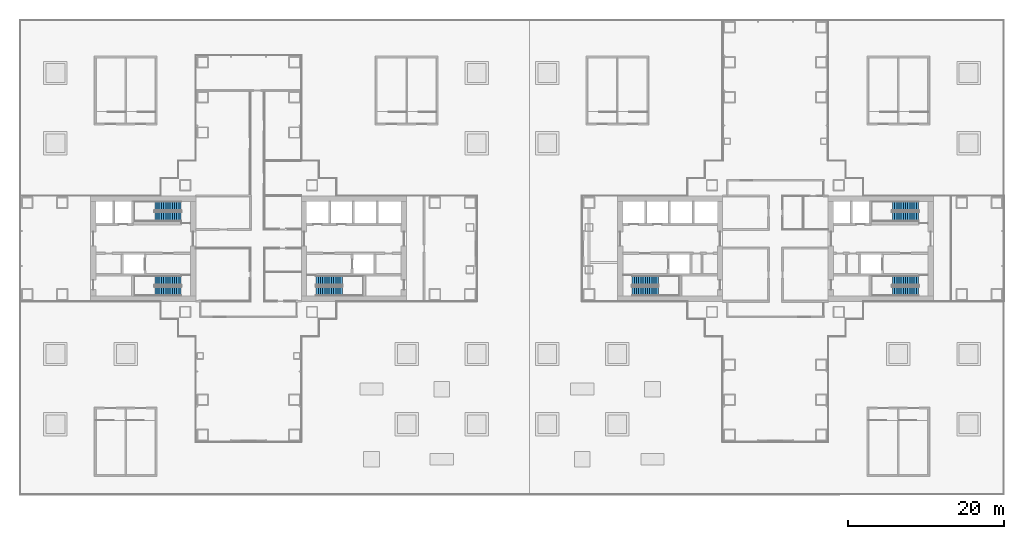
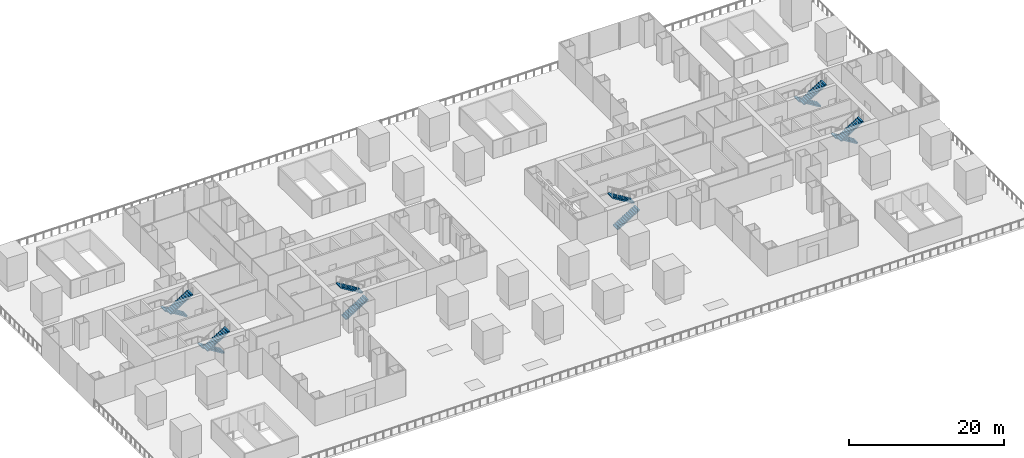
# One storey, part 19 of 23: 12 stair flights, 6 elements without a shape of their own.
"""IFC4 building model written with IfcOpenShell, lengths in metres."""

from ifc_helpers import new_model, si_unit, direction, frame, origin, place, context, subcontext, project, spatial, polyline, outline, extrude, material, type_object, element, aggregate, save


model = new_model("IFC4")

# Units and contexts
model_context = context("Model", 3, precision=1e-05, world=origin(), true_north=direction((0.0, 1.0)))
body_context = subcontext(model_context, "Body", "Model", "MODEL_VIEW")
ifc_project = project(units=[si_unit("LENGTHUNIT", "METRE"), si_unit("AREAUNIT", "SQUARE_METRE"), si_unit("VOLUMEUNIT", "CUBIC_METRE"), si_unit("PLANEANGLEUNIT", "RADIAN"), si_unit("MASSUNIT", "GRAM", prefix="KILO")], contexts=[model_context])

# Site, building, storey
site_placement = place(None, origin())
site = spatial("IfcSite", under=ifc_project, at=site_placement, CompositionType="ELEMENT")
building_placement = place(site_placement, origin())
building = spatial("IfcBuilding", under=site, at=building_placement, Name="Shamsa Quay Exchange Towers", CompositionType="ELEMENT")
storey_placement = place(building_placement, frame((0.0, 0.0, 28.5)))
storey = spatial("IfcBuildingStorey", under=building, at=storey_placement, Name="L05", CompositionType="ELEMENT", Elevation=28.5)

# Stair, stair flights
ifc_material = material(Name="Concrete C40/50", Category="concrete")
stair_type = type_object("IfcStairType", Name="EXIT STAIR 26 RISERS 173 MM", PredefinedType="HALF_TURN_STAIR", material=ifc_material)
stair_1_placement = place(storey_placement, origin())
stair_1 = element("IfcStair", 1, at=stair_1_placement, inside=storey, type_object=stair_type, Name="L05 Exit stair ST1", PredefinedType="HALF_TURN_STAIR")
stair_flight_type = type_object("IfcStairFlightType", Name="EXIT STAIR FLIGHT 13 RISERS 173 MM", PredefinedType="STRAIGHT", material=ifc_material)
stair_flight_1_placement = place(storey_placement, frame((-25.10009765625, -5.449951171875, 0.0)))
stair_flight_1 = element("IfcStairFlight", 2, at=stair_flight_1_placement, type_object=stair_flight_type, Name="ST1 flight 1", NumberOfRisers=13, NumberOfTreads=12, PredefinedType="STRAIGHT", RiserHeight=0.173076923, TreadLength=0.28, context=body_context, shape_type="SweptSolid", body=[
    extrude(outline(polyline([(0.0, 0.0), (0.0, 0.173095703125), (0.280029296875, 0.173095703125), (0.280029296875, 0.34619140625), (0.56005859375, 0.34619140625), (0.56005859375, 0.519287109375), (0.840087890625, 0.519287109375), (0.840087890625, 0.6923828125), (1.1201171875, 0.6923828125), (1.1201171875, 0.865478515625), (1.39990234375, 0.865478515625), (1.39990234375, 1.03857421875), (1.679931640625, 1.03857421875), (1.679931640625, 1.21142578125), (1.9599609375, 1.21142578125), (1.9599609375, 1.384521484375), (2.239990234375, 1.384521484375), (2.239990234375, 1.5576171875), (2.52001953125, 1.5576171875), (2.52001953125, 1.730712890625), (2.800048828125, 1.730712890625), (2.800048828125, 1.90380859375), (3.080078125, 1.90380859375), (3.080078125, 2.076904296875), (3.360107421875, 2.076904296875), (3.360107421875, 2.25), (3.360107421875, 1.912353515625), (0.26611328125, 0.0), (0.0, 0.0)])), frame((0.0, 0.60009765625, 0.0), z_axis=(0.0, -1.0, 0.0), x_axis=(1.0, 0.0, 0.0)), (0.0, 0.0, 1.0), 1.199951171875),
])
stair_flight_2_placement = place(storey_placement, frame((-21.739990234375, -4.10009765625, 2.25), z_axis=(0.0, 0.0, 1.0), x_axis=(-1.0, 0.0, 0.0)))
stair_flight_2 = element("IfcStairFlight", 3, at=stair_flight_2_placement, type_object=stair_flight_type, Name="ST1 flight 2", NumberOfRisers=13, NumberOfTreads=12, PredefinedType="STRAIGHT", RiserHeight=0.173076923, TreadLength=0.28, context=body_context, shape_type="SweptSolid", body=[
    extrude(outline(polyline([(0.0, 0.0), (0.0, 0.173095703125), (0.280029296875, 0.173095703125), (0.280029296875, 0.34619140625), (0.56005859375, 0.34619140625), (0.56005859375, 0.519287109375), (0.840087890625, 0.519287109375), (0.840087890625, 0.6923828125), (1.1201171875, 0.6923828125), (1.1201171875, 0.865478515625), (1.39990234375, 0.865478515625), (1.39990234375, 1.03857421875), (1.679931640625, 1.03857421875), (1.679931640625, 1.21142578125), (1.9599609375, 1.21142578125), (1.9599609375, 1.384521484375), (2.239990234375, 1.384521484375), (2.239990234375, 1.5576171875), (2.52001953125, 1.5576171875), (2.52001953125, 1.730712890625), (2.800048828125, 1.730712890625), (2.800048828125, 1.90380859375), (3.080078125, 1.90380859375), (3.080078125, 2.076904296875), (3.360107421875, 2.076904296875), (3.360107421875, 2.25), (3.360107421875, 1.912353515625), (0.26611328125, 0.0), (0.0, 0.0)])), frame((0.0, 0.60009765625, 0.0), z_axis=(0.0, -1.0, 0.0), x_axis=(1.0, 0.0, 0.0)), (0.0, 0.0, 1.0), 1.199951171875),
])
aggregate(stair_1, [stair_flight_1, stair_flight_2])

stair_2_placement = place(storey_placement, origin())
stair_2 = element("IfcStair", 4, at=stair_2_placement, inside=storey, type_object=stair_type, Name="L05 Exit stair ST2", PredefinedType="HALF_TURN_STAIR")
stair_flight_3_placement = place(storey_placement, frame((-42.39990234375, -4.10009765625, 0.0), z_axis=(0.0, 0.0, 1.0), x_axis=(-1.0, 0.0, 0.0)))
stair_flight_3 = element("IfcStairFlight", 5, at=stair_flight_3_placement, type_object=stair_flight_type, Name="ST2 flight 1", NumberOfRisers=13, NumberOfTreads=12, PredefinedType="STRAIGHT", RiserHeight=0.173076923, TreadLength=0.28, context=body_context, shape_type="SweptSolid", body=[
    extrude(outline(polyline([(0.0, 0.0), (0.0, 0.173095703125), (0.280029296875, 0.173095703125), (0.280029296875, 0.34619140625), (0.56005859375, 0.34619140625), (0.56005859375, 0.519287109375), (0.840087890625, 0.519287109375), (0.840087890625, 0.6923828125), (1.1201171875, 0.6923828125), (1.1201171875, 0.865478515625), (1.39990234375, 0.865478515625), (1.39990234375, 1.03857421875), (1.679931640625, 1.03857421875), (1.679931640625, 1.21142578125), (1.9599609375, 1.21142578125), (1.9599609375, 1.384521484375), (2.239990234375, 1.384521484375), (2.239990234375, 1.5576171875), (2.52001953125, 1.5576171875), (2.52001953125, 1.730712890625), (2.800048828125, 1.730712890625), (2.800048828125, 1.90380859375), (3.080078125, 1.90380859375), (3.080078125, 2.076904296875), (3.360107421875, 2.076904296875), (3.360107421875, 2.25), (3.360107421875, 1.912353515625), (0.26611328125, 0.0), (0.0, 0.0)])), frame((0.0, 0.60009765625, 0.0), z_axis=(0.0, -1.0, 0.0), x_axis=(1.0, 0.0, 0.0)), (0.0, 0.0, 1.0), 1.199951171875),
])
stair_flight_4_placement = place(storey_placement, frame((-45.760009765625, -5.449951171875, 2.25)))
stair_flight_4 = element("IfcStairFlight", 6, at=stair_flight_4_placement, type_object=stair_flight_type, Name="ST2 flight 2", NumberOfRisers=13, NumberOfTreads=12, PredefinedType="STRAIGHT", RiserHeight=0.173076923, TreadLength=0.28, context=body_context, shape_type="SweptSolid", body=[
    extrude(outline(polyline([(0.0, 0.0), (0.0, 0.173095703125), (0.280029296875, 0.173095703125), (0.280029296875, 0.34619140625), (0.56005859375, 0.34619140625), (0.56005859375, 0.519287109375), (0.840087890625, 0.519287109375), (0.840087890625, 0.6923828125), (1.1201171875, 0.6923828125), (1.1201171875, 0.865478515625), (1.39990234375, 0.865478515625), (1.39990234375, 1.03857421875), (1.679931640625, 1.03857421875), (1.679931640625, 1.21142578125), (1.9599609375, 1.21142578125), (1.9599609375, 1.384521484375), (2.239990234375, 1.384521484375), (2.239990234375, 1.5576171875), (2.52001953125, 1.5576171875), (2.52001953125, 1.730712890625), (2.800048828125, 1.730712890625), (2.800048828125, 1.90380859375), (3.080078125, 1.90380859375), (3.080078125, 2.076904296875), (3.360107421875, 2.076904296875), (3.360107421875, 2.25), (3.360107421875, 1.912353515625), (0.26611328125, 0.0), (0.0, 0.0)])), frame((0.0, 0.60009765625, 0.0), z_axis=(0.0, -1.0, 0.0), x_axis=(1.0, 0.0, 0.0)), (0.0, 0.0, 1.0), 1.199951171875),
])
aggregate(stair_2, [stair_flight_3, stair_flight_4])

stair_3_placement = place(storey_placement, origin())
stair_3 = element("IfcStair", 7, at=stair_3_placement, inside=storey, type_object=stair_type, Name="L05 Exit stair ST3", PredefinedType="HALF_TURN_STAIR")
stair_flight_5_placement = place(storey_placement, frame((-42.39990234375, 5.449951171875, 0.0), z_axis=(0.0, 0.0, 1.0), x_axis=(-1.0, 0.0, 0.0)))
stair_flight_5 = element("IfcStairFlight", 8, at=stair_flight_5_placement, type_object=stair_flight_type, Name="ST3 flight 1", NumberOfRisers=13, NumberOfTreads=12, PredefinedType="STRAIGHT", RiserHeight=0.173076923, TreadLength=0.28, context=body_context, shape_type="SweptSolid", body=[
    extrude(outline(polyline([(0.0, 0.0), (0.0, 0.173095703125), (0.280029296875, 0.173095703125), (0.280029296875, 0.34619140625), (0.56005859375, 0.34619140625), (0.56005859375, 0.519287109375), (0.840087890625, 0.519287109375), (0.840087890625, 0.6923828125), (1.1201171875, 0.6923828125), (1.1201171875, 0.865478515625), (1.39990234375, 0.865478515625), (1.39990234375, 1.03857421875), (1.679931640625, 1.03857421875), (1.679931640625, 1.21142578125), (1.9599609375, 1.21142578125), (1.9599609375, 1.384521484375), (2.239990234375, 1.384521484375), (2.239990234375, 1.5576171875), (2.52001953125, 1.5576171875), (2.52001953125, 1.730712890625), (2.800048828125, 1.730712890625), (2.800048828125, 1.90380859375), (3.080078125, 1.90380859375), (3.080078125, 2.076904296875), (3.360107421875, 2.076904296875), (3.360107421875, 2.25), (3.360107421875, 1.912353515625), (0.26611328125, 0.0), (0.0, 0.0)])), frame((0.0, 0.60009765625, 0.0), z_axis=(0.0, -1.0, 0.0), x_axis=(1.0, 0.0, 0.0)), (0.0, 0.0, 1.0), 1.199951171875),
])
stair_flight_6_placement = place(storey_placement, frame((-45.760009765625, 4.10009765625, 2.25)))
stair_flight_6 = element("IfcStairFlight", 9, at=stair_flight_6_placement, type_object=stair_flight_type, Name="ST3 flight 2", NumberOfRisers=13, NumberOfTreads=12, PredefinedType="STRAIGHT", RiserHeight=0.173076923, TreadLength=0.28, context=body_context, shape_type="SweptSolid", body=[
    extrude(outline(polyline([(0.0, 0.0), (0.0, 0.173095703125), (0.280029296875, 0.173095703125), (0.280029296875, 0.34619140625), (0.56005859375, 0.34619140625), (0.56005859375, 0.519287109375), (0.840087890625, 0.519287109375), (0.840087890625, 0.6923828125), (1.1201171875, 0.6923828125), (1.1201171875, 0.865478515625), (1.39990234375, 0.865478515625), (1.39990234375, 1.03857421875), (1.679931640625, 1.03857421875), (1.679931640625, 1.21142578125), (1.9599609375, 1.21142578125), (1.9599609375, 1.384521484375), (2.239990234375, 1.384521484375), (2.239990234375, 1.5576171875), (2.52001953125, 1.5576171875), (2.52001953125, 1.730712890625), (2.800048828125, 1.730712890625), (2.800048828125, 1.90380859375), (3.080078125, 1.90380859375), (3.080078125, 2.076904296875), (3.360107421875, 2.076904296875), (3.360107421875, 2.25), (3.360107421875, 1.912353515625), (0.26611328125, 0.0), (0.0, 0.0)])), frame((0.0, 0.60009765625, 0.0), z_axis=(0.0, -1.0, 0.0), x_axis=(1.0, 0.0, 0.0)), (0.0, 0.0, 1.0), 1.199951171875),
])
aggregate(stair_3, [stair_flight_5, stair_flight_6])

stair_4_placement = place(storey_placement, origin())
stair_4 = element("IfcStair", 10, at=stair_4_placement, inside=storey, type_object=stair_type, Name="L05 Exit stair ST4", PredefinedType="HALF_TURN_STAIR")
stair_flight_7_placement = place(storey_placement, frame((15.39990234375, -5.449951171875, 0.0)))
stair_flight_7 = element("IfcStairFlight", 11, at=stair_flight_7_placement, type_object=stair_flight_type, Name="ST4 flight 1", NumberOfRisers=13, NumberOfTreads=12, PredefinedType="STRAIGHT", RiserHeight=0.173076923, TreadLength=0.28, context=body_context, shape_type="SweptSolid", body=[
    extrude(outline(polyline([(0.0, 0.0), (0.0, 0.173095703125), (0.280029296875, 0.173095703125), (0.280029296875, 0.34619140625), (0.56005859375, 0.34619140625), (0.56005859375, 0.519287109375), (0.840087890625, 0.519287109375), (0.840087890625, 0.6923828125), (1.1201171875, 0.6923828125), (1.1201171875, 0.865478515625), (1.39990234375, 0.865478515625), (1.39990234375, 1.03857421875), (1.679931640625, 1.03857421875), (1.679931640625, 1.21142578125), (1.9599609375, 1.21142578125), (1.9599609375, 1.384521484375), (2.239990234375, 1.384521484375), (2.239990234375, 1.5576171875), (2.52001953125, 1.5576171875), (2.52001953125, 1.730712890625), (2.800048828125, 1.730712890625), (2.800048828125, 1.90380859375), (3.080078125, 1.90380859375), (3.080078125, 2.076904296875), (3.360107421875, 2.076904296875), (3.360107421875, 2.25), (3.360107421875, 1.912353515625), (0.26611328125, 0.0), (0.0, 0.0)])), frame((0.0, 0.60009765625, 0.0), z_axis=(0.0, -1.0, 0.0), x_axis=(1.0, 0.0, 0.0)), (0.0, 0.0, 1.0), 1.199951171875),
])
stair_flight_8_placement = place(storey_placement, frame((18.760009765625, -4.10009765625, 2.25), z_axis=(0.0, 0.0, 1.0), x_axis=(-1.0, 0.0, 0.0)))
stair_flight_8 = element("IfcStairFlight", 12, at=stair_flight_8_placement, type_object=stair_flight_type, Name="ST4 flight 2", NumberOfRisers=13, NumberOfTreads=12, PredefinedType="STRAIGHT", RiserHeight=0.173076923, TreadLength=0.28, context=body_context, shape_type="SweptSolid", body=[
    extrude(outline(polyline([(0.0, 0.0), (0.0, 0.173095703125), (0.280029296875, 0.173095703125), (0.280029296875, 0.34619140625), (0.56005859375, 0.34619140625), (0.56005859375, 0.519287109375), (0.840087890625, 0.519287109375), (0.840087890625, 0.6923828125), (1.1201171875, 0.6923828125), (1.1201171875, 0.865478515625), (1.39990234375, 0.865478515625), (1.39990234375, 1.03857421875), (1.679931640625, 1.03857421875), (1.679931640625, 1.21142578125), (1.9599609375, 1.21142578125), (1.9599609375, 1.384521484375), (2.239990234375, 1.384521484375), (2.239990234375, 1.5576171875), (2.52001953125, 1.5576171875), (2.52001953125, 1.730712890625), (2.800048828125, 1.730712890625), (2.800048828125, 1.90380859375), (3.080078125, 1.90380859375), (3.080078125, 2.076904296875), (3.360107421875, 2.076904296875), (3.360107421875, 2.25), (3.360107421875, 1.912353515625), (0.26611328125, 0.0), (0.0, 0.0)])), frame((0.0, 0.60009765625, 0.0), z_axis=(0.0, -1.0, 0.0), x_axis=(1.0, 0.0, 0.0)), (0.0, 0.0, 1.0), 1.199951171875),
])
aggregate(stair_4, [stair_flight_7, stair_flight_8])

stair_5_placement = place(storey_placement, origin())
stair_5 = element("IfcStair", 13, at=stair_5_placement, inside=storey, type_object=stair_type, Name="L05 Exit stair ST5", PredefinedType="HALF_TURN_STAIR")
stair_flight_9_placement = place(storey_placement, frame((52.10009765625, -4.10009765625, 0.0), z_axis=(0.0, 0.0, 1.0), x_axis=(-1.0, 0.0, 0.0)))
stair_flight_9 = element("IfcStairFlight", 14, at=stair_flight_9_placement, type_object=stair_flight_type, Name="ST5 flight 1", NumberOfRisers=13, NumberOfTreads=12, PredefinedType="STRAIGHT", RiserHeight=0.173076923, TreadLength=0.28, context=body_context, shape_type="SweptSolid", body=[
    extrude(outline(polyline([(0.0, 0.0), (0.0, 0.173095703125), (0.280029296875, 0.173095703125), (0.280029296875, 0.34619140625), (0.56005859375, 0.34619140625), (0.56005859375, 0.519287109375), (0.840087890625, 0.519287109375), (0.840087890625, 0.6923828125), (1.1201171875, 0.6923828125), (1.1201171875, 0.865478515625), (1.39990234375, 0.865478515625), (1.39990234375, 1.03857421875), (1.679931640625, 1.03857421875), (1.679931640625, 1.21142578125), (1.9599609375, 1.21142578125), (1.9599609375, 1.384521484375), (2.239990234375, 1.384521484375), (2.239990234375, 1.5576171875), (2.52001953125, 1.5576171875), (2.52001953125, 1.730712890625), (2.800048828125, 1.730712890625), (2.800048828125, 1.90380859375), (3.080078125, 1.90380859375), (3.080078125, 2.076904296875), (3.360107421875, 2.076904296875), (3.360107421875, 2.25), (3.360107421875, 1.912353515625), (0.26611328125, 0.0), (0.0, 0.0)])), frame((0.0, 0.60009765625, 0.0), z_axis=(0.0, -1.0, 0.0), x_axis=(1.0, 0.0, 0.0)), (0.0, 0.0, 1.0), 1.199951171875),
])
stair_flight_10_placement = place(storey_placement, frame((48.739990234375, -5.449951171875, 2.25)))
stair_flight_10 = element("IfcStairFlight", 15, at=stair_flight_10_placement, type_object=stair_flight_type, Name="ST5 flight 2", NumberOfRisers=13, NumberOfTreads=12, PredefinedType="STRAIGHT", RiserHeight=0.173076923, TreadLength=0.28, context=body_context, shape_type="SweptSolid", body=[
    extrude(outline(polyline([(0.0, 0.0), (0.0, 0.173095703125), (0.280029296875, 0.173095703125), (0.280029296875, 0.34619140625), (0.56005859375, 0.34619140625), (0.56005859375, 0.519287109375), (0.840087890625, 0.519287109375), (0.840087890625, 0.6923828125), (1.1201171875, 0.6923828125), (1.1201171875, 0.865478515625), (1.39990234375, 0.865478515625), (1.39990234375, 1.03857421875), (1.679931640625, 1.03857421875), (1.679931640625, 1.21142578125), (1.9599609375, 1.21142578125), (1.9599609375, 1.384521484375), (2.239990234375, 1.384521484375), (2.239990234375, 1.5576171875), (2.52001953125, 1.5576171875), (2.52001953125, 1.730712890625), (2.800048828125, 1.730712890625), (2.800048828125, 1.90380859375), (3.080078125, 1.90380859375), (3.080078125, 2.076904296875), (3.360107421875, 2.076904296875), (3.360107421875, 2.25), (3.360107421875, 1.912353515625), (0.26611328125, 0.0), (0.0, 0.0)])), frame((0.0, 0.60009765625, 0.0), z_axis=(0.0, -1.0, 0.0), x_axis=(1.0, 0.0, 0.0)), (0.0, 0.0, 1.0), 1.199951171875),
])
aggregate(stair_5, [stair_flight_9, stair_flight_10])

stair_6_placement = place(storey_placement, origin())
stair_6 = element("IfcStair", 16, at=stair_6_placement, inside=storey, type_object=stair_type, Name="L05 Exit stair ST6", PredefinedType="HALF_TURN_STAIR")
stair_flight_11_placement = place(storey_placement, frame((52.10009765625, 5.449951171875, 0.0), z_axis=(0.0, 0.0, 1.0), x_axis=(-1.0, 0.0, 0.0)))
stair_flight_11 = element("IfcStairFlight", 17, at=stair_flight_11_placement, type_object=stair_flight_type, Name="ST6 flight 1", NumberOfRisers=13, NumberOfTreads=12, PredefinedType="STRAIGHT", RiserHeight=0.173076923, TreadLength=0.28, context=body_context, shape_type="SweptSolid", body=[
    extrude(outline(polyline([(0.0, 0.0), (0.0, 0.173095703125), (0.280029296875, 0.173095703125), (0.280029296875, 0.34619140625), (0.56005859375, 0.34619140625), (0.56005859375, 0.519287109375), (0.840087890625, 0.519287109375), (0.840087890625, 0.6923828125), (1.1201171875, 0.6923828125), (1.1201171875, 0.865478515625), (1.39990234375, 0.865478515625), (1.39990234375, 1.03857421875), (1.679931640625, 1.03857421875), (1.679931640625, 1.21142578125), (1.9599609375, 1.21142578125), (1.9599609375, 1.384521484375), (2.239990234375, 1.384521484375), (2.239990234375, 1.5576171875), (2.52001953125, 1.5576171875), (2.52001953125, 1.730712890625), (2.800048828125, 1.730712890625), (2.800048828125, 1.90380859375), (3.080078125, 1.90380859375), (3.080078125, 2.076904296875), (3.360107421875, 2.076904296875), (3.360107421875, 2.25), (3.360107421875, 1.912353515625), (0.26611328125, 0.0), (0.0, 0.0)])), frame((0.0, 0.60009765625, 0.0), z_axis=(0.0, -1.0, 0.0), x_axis=(1.0, 0.0, 0.0)), (0.0, 0.0, 1.0), 1.199951171875),
])
stair_flight_12_placement = place(storey_placement, frame((48.739990234375, 4.10009765625, 2.25)))
stair_flight_12 = element("IfcStairFlight", 18, at=stair_flight_12_placement, type_object=stair_flight_type, Name="ST6 flight 2", NumberOfRisers=13, NumberOfTreads=12, PredefinedType="STRAIGHT", RiserHeight=0.173076923, TreadLength=0.28, context=body_context, shape_type="SweptSolid", body=[
    extrude(outline(polyline([(0.0, 0.0), (0.0, 0.173095703125), (0.280029296875, 0.173095703125), (0.280029296875, 0.34619140625), (0.56005859375, 0.34619140625), (0.56005859375, 0.519287109375), (0.840087890625, 0.519287109375), (0.840087890625, 0.6923828125), (1.1201171875, 0.6923828125), (1.1201171875, 0.865478515625), (1.39990234375, 0.865478515625), (1.39990234375, 1.03857421875), (1.679931640625, 1.03857421875), (1.679931640625, 1.21142578125), (1.9599609375, 1.21142578125), (1.9599609375, 1.384521484375), (2.239990234375, 1.384521484375), (2.239990234375, 1.5576171875), (2.52001953125, 1.5576171875), (2.52001953125, 1.730712890625), (2.800048828125, 1.730712890625), (2.800048828125, 1.90380859375), (3.080078125, 1.90380859375), (3.080078125, 2.076904296875), (3.360107421875, 2.076904296875), (3.360107421875, 2.25), (3.360107421875, 1.912353515625), (0.26611328125, 0.0), (0.0, 0.0)])), frame((0.0, 0.60009765625, 0.0), z_axis=(0.0, -1.0, 0.0), x_axis=(1.0, 0.0, 0.0)), (0.0, 0.0, 1.0), 1.199951171875),
])
aggregate(stair_6, [stair_flight_11, stair_flight_12])

save(model, "model.ifc")
